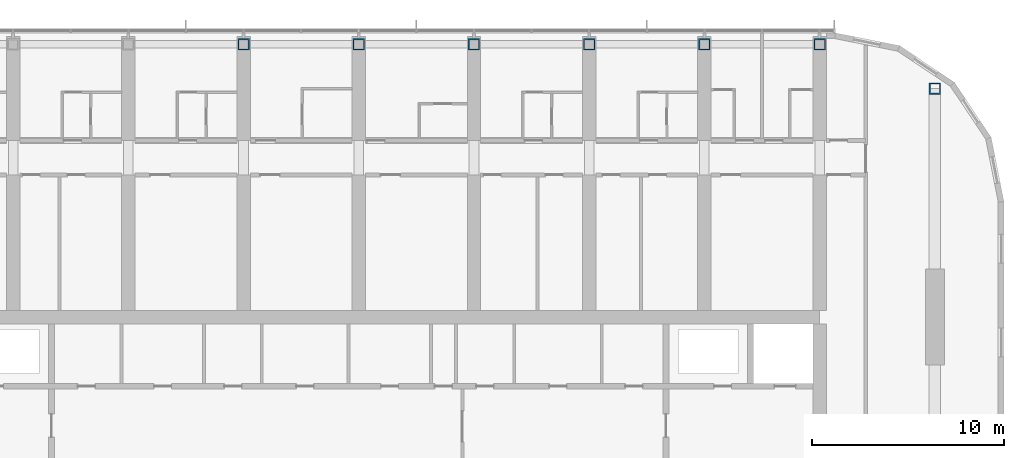
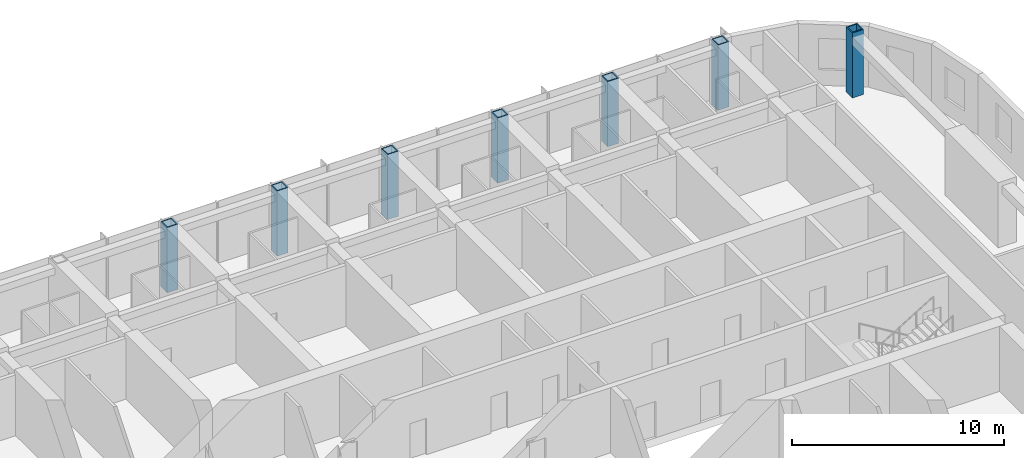
# One storey, part 3 of 27: 7 columns.
"""IFC4 building model written with IfcOpenShell, lengths in metres."""

from ifc_helpers import new_model, si_unit, direction, frame, origin, origin_2d, place, context, subcontext, project, spatial, hollow_rectangle, extrude, material, material_profile, profile_set, type_object, element, save


model = new_model("IFC4")

# Units and contexts
model_context = context("Model", 3, precision=1e-05, world=origin(), true_north=direction((0.0, 1.0)))
body_context = subcontext(model_context, "Body", "Model", "MODEL_VIEW")
ifc_project = project(units=[si_unit("LENGTHUNIT", "METRE"), si_unit("AREAUNIT", "SQUARE_METRE"), si_unit("VOLUMEUNIT", "CUBIC_METRE"), si_unit("PLANEANGLEUNIT", "RADIAN"), si_unit("MASSUNIT", "GRAM", prefix="KILO")], contexts=[model_context])

# Site, building, storey
site_placement = place(None, origin())
site = spatial("IfcSite", under=ifc_project, at=site_placement, CompositionType="ELEMENT")
building_placement = place(site_placement, origin())
building = spatial("IfcBuilding", under=site, at=building_placement, Name="Orbita Commons", CompositionType="ELEMENT")
storey_placement = place(building_placement, frame((0.0, 0.0, 246.550048828125)))
storey = spatial("IfcBuildingStorey", under=building, at=storey_placement, Name="L61", CompositionType="ELEMENT", Elevation=246.550048828125)

# Columns
ifc_material = material(Name="Steel ASTM A572 Gr 50 welded plate", Category="steel")
ifc_material_profile = material_profile(ifc_material, hollow_rectangle(XDim=0.60009765625, YDim=0.60009765625, WallThickness=0.06005859375, at=origin_2d()), Name="BOX 600x600x60")
ifc_profile_set = profile_set([ifc_material_profile], Name="Steel ASTM A572 Gr 50 welded plate")
column_type = type_object("IfcColumnType", Name="Steel column BOX 600x600x60", PredefinedType="COLUMN", material=ifc_profile_set)
for number, where, z_axis, x_axis, name in (
    (1, (36.0, 52.39990234375, 0.0), (0.0, 0.0, 1.0), (1.0, 0.0, 0.0), "Column 7/E L61"),
    (2, (42.0, 52.39990234375, 0.0), (0.0, 0.0, 1.0), (1.0, 0.0, 0.0), "Column 8/E L61"),
    (3, (48.0, 52.39990234375, 0.0), (0.0, 0.0, 1.0), (1.0, 0.0, 0.0), "Column 9/E L61"),
    (4, (54.0, 52.39990234375, 0.0), (0.0, 0.0, 1.0), (1.0, 0.0, 0.0), "Column 10/E L61"),
    (5, (60.0, 52.39990234375, 0.0), (0.0, 0.0, 1.0), (1.0, 0.0, 0.0), "Column 11/E L61"),
    (6, (66.0, 52.39990234375, 0.0), (0.0, 0.0, 1.0), (1.0, 0.0, 0.0), "Column 12/E L61"),
    (7, (72.0, 50.10009765625, 0.0), (0.0, 0.0, 1.0), (1.0, 0.0, 0.0), "Column 13/50.1 L61"),
):
    element("IfcColumn", number, at=place(storey_placement, frame(where, z_axis=z_axis, x_axis=x_axis)), inside=storey, type_object=column_type, Name=name, PredefinedType="COLUMN", context=body_context, shape_type="SweptSolid", body=[
        extrude(hollow_rectangle(XDim=0.60009765625, YDim=0.60009765625, WallThickness=0.06005859375, at=origin_2d()), origin(), (0.0, 0.0, 1.0), 3.75),
    ])

save(model, "model.ifc")
